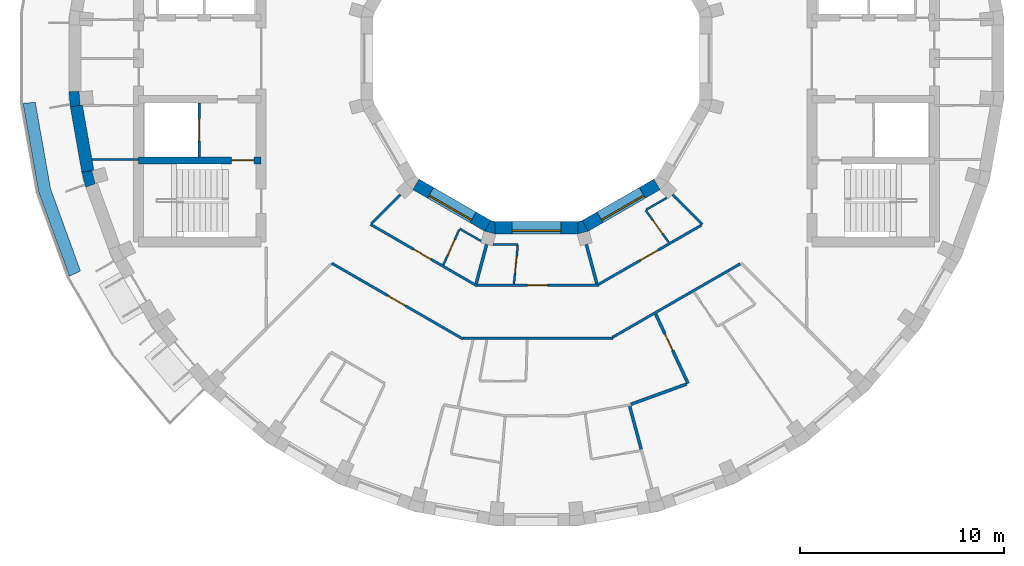
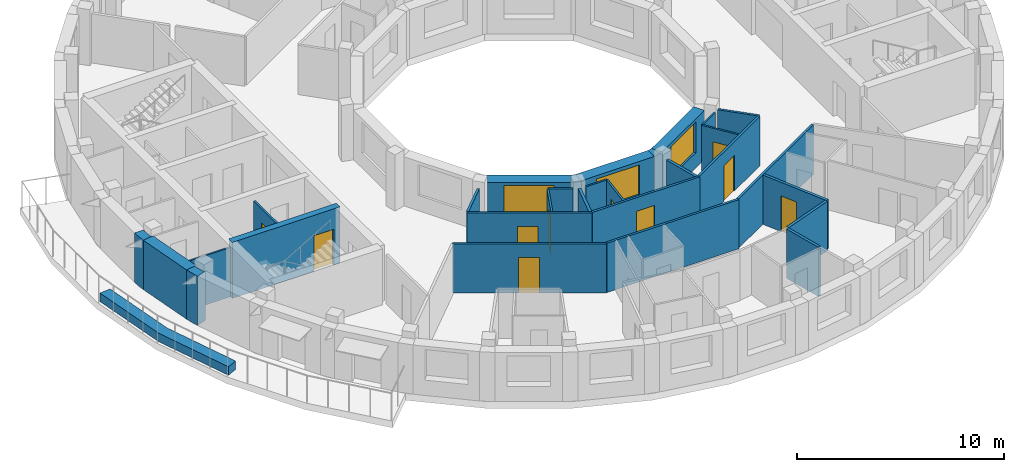
# One storey, part 3 of 10: 31 walls, 10 doors, 3 windows, 13 openings.
"""IFC4 building model written with IfcOpenShell, lengths in metres."""

from ifc_helpers import new_model, si_unit, direction, frame, frame_2d, origin, place, context, subcontext, project, spatial, polyline, rectangle, outline, extrude, material, layer, layer_set, type_object, element, fill, save


model = new_model("IFC4")

# Units and contexts
model_context = context("Model", 3, precision=1e-05, world=origin(), true_north=direction((0.0, 1.0)))
body_context = subcontext(model_context, "Body", "Model", "MODEL_VIEW")
ifc_project = project(units=[si_unit("LENGTHUNIT", "METRE"), si_unit("AREAUNIT", "SQUARE_METRE"), si_unit("VOLUMEUNIT", "CUBIC_METRE"), si_unit("PLANEANGLEUNIT", "RADIAN"), si_unit("MASSUNIT", "GRAM", prefix="KILO")], contexts=[model_context])

# Site, building, storey
site_placement = place(None, origin())
site = spatial("IfcSite", under=ifc_project, at=site_placement, CompositionType="ELEMENT")
building_placement = place(site_placement, origin())
building = spatial("IfcBuilding", under=site, at=building_placement, Name="Saqina Gate Tower", CompositionType="ELEMENT")
storey_placement = place(building_placement, frame((0.0, 0.0, 252.800048828125)))
storey = spatial("IfcBuildingStorey", under=building, at=storey_placement, Name="L72", CompositionType="ELEMENT", Elevation=252.800048828125)

# Walls
ifc_material_1 = material(Name="Brick masonry (buff)", Category="masonry")
wall_type_1 = type_object("IfcWallType", Name="BRICK PIER COPING BUFF", PredefinedType="SOLIDWALL", material=ifc_material_1)
wall_1_placement = place(storey_placement, origin())
element("IfcWall", 1, at=wall_1_placement, inside=storey, type_object=wall_type_1, Name="Pier cap L72 column 19", PredefinedType="SOLIDWALL", context=body_context, shape_type="SweptSolid", body=[
    extrude(outline(polyline([(-22.91259765625, -1.625732421875), (-22.8466796875, -2.377685546875), (-22.255859375, -2.2734375), (-22.361083984375, -2.28271484375), (-22.417724609375, -1.635009765625), (-22.3125, -1.625732421875), (-22.91259765625, -1.625732421875)])), origin(), (0.0, 0.0, 1.0), 2.89990234375),
])
wall_2_placement = place(storey_placement, origin())
element("IfcWall", 2, at=wall_2_placement, inside=storey, type_object=wall_type_1, Name="Pier cap L72 column 20", PredefinedType="SOLIDWALL", context=body_context, shape_type="SweptSolid", body=[
    extrude(outline(polyline([(-22.0869140625, -6.30859375), (-21.52294921875, -6.103515625), (-21.625, -6.130859375), (-21.793212890625, -5.5029296875), (-21.691162109375, -5.4755859375), (-22.281982421875, -5.579833984375), (-22.0869140625, -6.30859375)])), origin(), (0.0, 0.0, 1.0), 2.89990234375),
])
ifc_material_2 = material(Name="Gypsum board on steel studs", Category="steel")
ifc_layer_1 = layer(ifc_material_2, 0.10009765625)
ifc_layer_set_1 = layer_set([ifc_layer_1], Name="CORE PARTITION")
wall_type_2 = type_object("IfcWallType", Name="CORE PARTITION", PredefinedType="PARTITIONING", material=ifc_layer_set_1)
wall_3_placement = place(storey_placement, frame((-19.5, -4.949951171875, 0.0), z_axis=(0.0, 0.0, 1.0), x_axis=(-1.0, 0.0, 0.0)))
element("IfcWall", 3, at=wall_3_placement, inside=storey, type_object=wall_type_2, Name="L72-CP-W04", PredefinedType="PARTITIONING", context=body_context, shape_type="SweptSolid", body=[
    extrude(rectangle(XDim=2.283935546875, YDim=0.10009765625, at=frame_2d((1.14208984375, 0.0))), origin(), (0.0, 0.0, 1.0), 2.89990234375),
])
ifc_material_3 = material(Name="Glazed ceramic tile", Category="ceramic")
ifc_layer_2 = layer(ifc_material_3, 0.60009765625)
ifc_layer_set_2 = layer_set([ifc_layer_2], Name="FW-TILE")
wall_type_3 = type_object("IfcWallType", Name="FW-TILE", PredefinedType="SOLIDWALL", material=ifc_layer_set_2)
wall_4_placement = place(storey_placement, frame((-22.55126953125, -2.325439453125, 0.0), z_axis=(0.0, 0.0, 1.0), x_axis=(0.173656842178, -0.984806225186, 0.0)))
element("IfcWall", 4, at=wall_4_placement, inside=storey, type_object=wall_type_3, Name="Facade wall L72 facet 19", PredefinedType="SOLIDWALL", context=body_context, shape_type="SweptSolid", body=[
    extrude(rectangle(XDim=3.251708984375, YDim=0.60009765625, at=frame_2d((1.6259765625, 0.0))), origin(), (0.0, 0.0, 1.0), 2.89990234375),
])

# Wall, opening, window
ifc_material_4 = material(Name="Glazed ceramic tile", Category="ceramic")
ifc_layer_3 = layer(ifc_material_4, 0.60009765625)
ifc_layer_set_3 = layer_set([ifc_layer_3], Name="IW-TILE")
wall_type_4 = type_object("IfcWallType", Name="IW-TILE", PredefinedType="SOLIDWALL", material=ifc_layer_set_3)
wall_5_placement = place(storey_placement, frame((-5.907470703125, -6.17333984375, 0.0), z_axis=(0.0, 0.0, 1.0), x_axis=(0.866028316509, -0.499994954979, 0.0)))
wall_5 = element("IfcWall", 5, at=wall_5_placement, inside=storey, type_object=wall_type_4, Name="Well wall L72 facet 8", PredefinedType="SOLIDWALL", context=body_context, shape_type="SweptSolid", body=[
    extrude(rectangle(XDim=4.05859375, YDim=0.60009765625, at=frame_2d((2.029296875, 0.0))), origin(), (0.0, 0.0, 1.0), 2.89990234375),
])
opening_1_placement = place(wall_5_placement, frame((0.829345703125, 0.0, 0.89990234375)))
opening_1 = element("IfcOpeningElement", 6, at=opening_1_placement, cuts=wall_5, Name="Opening G21-W32", PredefinedType="OPENING", context=body_context, shape_type="SweptSolid", body=[
    extrude(rectangle(XDim=2.39990234375, YDim=1.800048828125, at=frame_2d((1.199951171875, 0.89990234375))), frame((0.0, 0.31201171875, 0.0), z_axis=(0.0, -1.0, 0.0), x_axis=(1.0, 0.0, 0.0)), (0.0, 0.0, 1.0), 0.6240234375),
])
ifc_material_5 = material(Name="Aluminium glazing", Category="aluminium")
window_type = type_object("IfcWindowType", Name="WN-W", PartitioningType="SINGLE_PANEL", PredefinedType="WINDOW", material=ifc_material_5)
window_1_placement = place(opening_1_placement, origin())
window_1 = element("IfcWindow", 7, at=window_1_placement, inside=storey, type_object=window_type, Name="Well window L72 facet 8", OverallHeight=1.800048828125, OverallWidth=2.39990234375, PartitioningType="SINGLE_PANEL", PredefinedType="WINDOW", context=body_context, shape_type="SweptSolid", body=[
    extrude(rectangle(XDim=2.39990234375, YDim=1.800048828125, at=frame_2d((1.199951171875, 0.89990234375))), frame((0.0, -0.119873046875, 0.0), z_axis=(0.0, -1.0, 0.0), x_axis=(1.0, 0.0, 0.0)), (0.0, 0.0, 1.0), 0.06005859375),
])
fill(opening_1, window_1)

wall_6_placement = place(storey_placement, frame((-2.029296875, -8.300048828125, 0.0), z_axis=(0.0, 0.0, 1.0), x_axis=(1.0, 0.0, 0.0)))
wall_6 = element("IfcWall", 8, at=wall_6_placement, inside=storey, type_object=wall_type_4, Name="Well wall L72 facet 9", PredefinedType="SOLIDWALL", context=body_context, shape_type="SweptSolid", body=[
    extrude(rectangle(XDim=4.05859375, YDim=0.60009765625, at=frame_2d((2.029296875, 0.0))), origin(), (0.0, 0.0, 1.0), 2.89990234375),
])
opening_2_placement = place(wall_6_placement, frame((0.829345703125, 0.0, 0.89990234375)))
opening_2 = element("IfcOpeningElement", 9, at=opening_2_placement, cuts=wall_6, Name="Opening G21-W33", PredefinedType="OPENING", context=body_context, shape_type="SweptSolid", body=[
    extrude(rectangle(XDim=2.39990234375, YDim=1.800048828125, at=frame_2d((1.199951171875, 0.89990234375))), frame((0.0, 0.31201171875, 0.0), z_axis=(0.0, -1.0, 0.0), x_axis=(1.0, 0.0, 0.0)), (0.0, 0.0, 1.0), 0.6240234375),
])
window_2_placement = place(opening_2_placement, origin())
window_2 = element("IfcWindow", 10, at=window_2_placement, inside=storey, type_object=window_type, Name="Well window L72 facet 9", OverallHeight=1.800048828125, OverallWidth=2.39990234375, PartitioningType="SINGLE_PANEL", PredefinedType="WINDOW", context=body_context, shape_type="SweptSolid", body=[
    extrude(rectangle(XDim=2.39990234375, YDim=1.800048828125, at=frame_2d((1.199951171875, 0.89990234375))), frame((0.0, -0.119873046875, 0.0), z_axis=(0.0, -1.0, 0.0), x_axis=(1.0, 0.0, 0.0)), (0.0, 0.0, 1.0), 0.06005859375),
])
fill(opening_2, window_2)

wall_7_placement = place(storey_placement, frame((2.392578125, -8.20263671875, 0.0), z_axis=(0.0, 0.0, 1.0), x_axis=(0.866028316509, 0.499994954979, 0.0)))
wall_7 = element("IfcWall", 11, at=wall_7_placement, inside=storey, type_object=wall_type_4, Name="Well wall L72 facet 10", PredefinedType="SOLIDWALL", context=body_context, shape_type="SweptSolid", body=[
    extrude(rectangle(XDim=4.05859375, YDim=0.60009765625, at=frame_2d((2.029296875, 0.0))), origin(), (0.0, 0.0, 1.0), 2.89990234375),
])
opening_3_placement = place(wall_7_placement, frame((0.829345703125, 0.0, 0.89990234375)))
opening_3 = element("IfcOpeningElement", 12, at=opening_3_placement, cuts=wall_7, Name="Opening G21-W34", PredefinedType="OPENING", context=body_context, shape_type="SweptSolid", body=[
    extrude(rectangle(XDim=2.39990234375, YDim=1.800048828125, at=frame_2d((1.199951171875, 0.89990234375))), frame((0.0, 0.31201171875, 0.0), z_axis=(0.0, -1.0, 0.0), x_axis=(1.0, 0.0, 0.0)), (0.0, 0.0, 1.0), 0.6240234375),
])
window_3_placement = place(opening_3_placement, origin())
window_3 = element("IfcWindow", 13, at=window_3_placement, inside=storey, type_object=window_type, Name="Well window L72 facet 10", OverallHeight=1.800048828125, OverallWidth=2.39990234375, PartitioningType="SINGLE_PANEL", PredefinedType="WINDOW", context=body_context, shape_type="SweptSolid", body=[
    extrude(rectangle(XDim=2.39990234375, YDim=1.800048828125, at=frame_2d((1.199951171875, 0.89990234375))), frame((0.0, -0.119873046875, 0.0), z_axis=(0.0, -1.0, 0.0), x_axis=(1.0, 0.0, 0.0)), (0.0, 0.0, 1.0), 0.06005859375),
])
fill(opening_3, window_3)

# Wall, opening, door
ifc_material_6 = material(Name="Gypsum board on steel studs, 100 mm", Category="steel")
ifc_layer_4 = layer(ifc_material_6, 0.10009765625)
ifc_layer_set_4 = layer_set([ifc_layer_4], Name="PARTITION 100")
wall_type_5 = type_object("IfcWallType", Name="PARTITION 100", PredefinedType="PARTITIONING", material=ifc_layer_set_4)
wall_8_placement = place(storey_placement, frame((5.344970703125, -7.43310546875, 0.0), z_axis=(0.0, 0.0, 1.0), x_axis=(0.583667050837, -0.811993087266, 0.0)))
wall_8 = element("IfcWall", 14, at=wall_8_placement, inside=storey, type_object=wall_type_5, Name="PARTITION PW3-12", PredefinedType="PARTITIONING", context=body_context, shape_type="SweptSolid", body=[
    extrude(rectangle(XDim=1.947021484375, YDim=0.10009765625, at=frame_2d((0.9736328125, 0.0))), origin(), (0.0, 0.0, 1.0), 2.89990234375),
])
opening_4_placement = place(wall_8_placement, frame((0.60498046875, 0.0, 0.0)))
opening_4 = element("IfcOpeningElement", 15, at=opening_4_placement, cuts=wall_8, Name="Opening G21-D42", PredefinedType="OPENING", context=body_context, shape_type="SweptSolid", body=[
    extrude(rectangle(XDim=0.800048828125, YDim=2.10009765625, at=frame_2d((0.39990234375, 1.050048828125))), frame((0.0, 0.06201171875, 0.0), z_axis=(0.0, -1.0, 0.0), x_axis=(1.0, 0.0, 0.0)), (0.0, 0.0, 1.0), 0.1240234375),
])
ifc_material_7 = material(Name="Timber door leaf, 800 mm", Category="wood")
door_type_1 = type_object("IfcDoorType", Name="DOOR 800 TIMBER", OperationType="SINGLE_SWING_LEFT", PredefinedType="DOOR", material=ifc_material_7)
door_1_placement = place(opening_4_placement, origin())
door_1 = element("IfcDoor", 16, at=door_1_placement, inside=storey, type_object=door_type_1, Name="DOOR G21-D42", OperationType="SINGLE_SWING_LEFT", OverallHeight=2.10009765625, OverallWidth=0.800048828125, PredefinedType="DOOR", context=body_context, shape_type="SweptSolid", body=[
    extrude(rectangle(XDim=0.800048828125, YDim=2.10009765625, at=frame_2d((0.39990234375, 1.050048828125))), frame((0.0, 0.02490234375, 0.0), z_axis=(0.0, -1.0, 0.0), x_axis=(1.0, 0.0, 0.0)), (0.0, 0.0, 1.0), 0.050048828125),
])
fill(opening_4, door_1)

# Walls
wall_9_placement = place(storey_placement, frame((-3.764892578125, -8.345947265625, 0.0), z_axis=(0.0, 0.0, 1.0), x_axis=(0.866057664494, -0.499944118649, 0.0)))
element("IfcWall", 17, at=wall_9_placement, inside=storey, type_object=wall_type_5, Name="PARTITION PW3-16", PredefinedType="PARTITIONING", context=body_context, shape_type="SweptSolid", body=[
    extrude(rectangle(XDim=1.207763671875, YDim=0.10009765625, at=frame_2d((0.60400390625, 0.0))), origin(), (0.0, 0.0, 1.0), 2.89990234375),
])
wall_10_placement = place(storey_placement, frame((-2.1201171875, -9.110107421875, 0.0), z_axis=(0.0, 0.0, 1.0), x_axis=(1.0, 0.0, 0.0)))
element("IfcWall", 18, at=wall_10_placement, inside=storey, type_object=wall_type_5, Name="PARTITION PW3-25", PredefinedType="PARTITIONING", context=body_context, shape_type="SweptSolid", body=[
    extrude(rectangle(XDim=1.2080078125, YDim=0.10009765625, at=frame_2d((0.60400390625, 0.0))), origin(), (0.0, 0.0, 1.0), 2.89990234375),
])
wall_11_placement = place(storey_placement, frame((5.388427734375, -7.407958984375, 0.0), z_axis=(0.0, 0.0, 1.0), x_axis=(0.866132916787, 0.499813735764, 0.0)))
element("IfcWall", 19, at=wall_11_placement, inside=storey, type_object=wall_type_5, Name="PARTITION PW3-33", PredefinedType="PARTITIONING", context=body_context, shape_type="SweptSolid", body=[
    extrude(rectangle(XDim=1.15771484375, YDim=0.10009765625, at=frame_2d((0.578857421875, 0.0))), origin(), (0.0, 0.0, 1.0), 2.89990234375),
])

# Wall, opening, door
wall_12_placement = place(storey_placement, frame((-4.566162109375, -10.12060546875, 0.0), z_axis=(0.0, 0.0, 1.0), x_axis=(0.411445339517, 0.911434436803, 0.0)))
wall_12 = element("IfcWall", 20, at=wall_12_placement, inside=storey, type_object=wall_type_5, Name="PARTITION PW3-42", PredefinedType="PARTITIONING", context=body_context, shape_type="SweptSolid", body=[
    extrude(rectangle(XDim=1.89697265625, YDim=0.10009765625, at=frame_2d((0.948486328125, 0.0))), origin(), (0.0, 0.0, 1.0), 2.89990234375),
])
opening_5_placement = place(wall_12_placement, frame((0.5419921875, 0.0, 0.0)))
opening_5 = element("IfcOpeningElement", 21, at=opening_5_placement, cuts=wall_12, Name="Opening G21-D28", PredefinedType="OPENING", context=body_context, shape_type="SweptSolid", body=[
    extrude(rectangle(XDim=0.800048828125, YDim=2.10009765625, at=frame_2d((0.39990234375, 1.050048828125))), frame((0.0, 0.06201171875, 0.0), z_axis=(0.0, -1.0, 0.0), x_axis=(1.0, 0.0, 0.0)), (0.0, 0.0, 1.0), 0.1240234375),
])
door_2_placement = place(opening_5_placement, frame((0.800048828125, 0.0, 0.0), z_axis=(0.0, 0.0, 1.0), x_axis=(-1.0, 0.0, 0.0)))
door_2 = element("IfcDoor", 22, at=door_2_placement, inside=storey, type_object=door_type_1, Name="DOOR G21-D28", OperationType="SINGLE_SWING_LEFT", OverallHeight=2.10009765625, OverallWidth=0.800048828125, PredefinedType="DOOR", context=body_context, shape_type="SweptSolid", body=[
    extrude(rectangle(XDim=0.800048828125, YDim=2.10009765625, at=frame_2d((0.39990234375, 1.050048828125))), frame((0.0, 0.02490234375, 0.0), z_axis=(0.0, -1.0, 0.0), x_axis=(1.0, 0.0, 0.0)), (0.0, 0.0, 1.0), 0.050048828125),
])
fill(opening_5, door_2)

wall_13_placement = place(storey_placement, frame((-1.105712890625, -11.0478515625, 0.0), z_axis=(0.0, 0.0, 1.0), x_axis=(0.09945276516, 0.995042284278, 0.0)))
wall_13 = element("IfcWall", 23, at=wall_13_placement, inside=storey, type_object=wall_type_5, Name="PARTITION PW3-48", PredefinedType="PARTITIONING", context=body_context, shape_type="SweptSolid", body=[
    extrude(rectangle(XDim=1.897705078125, YDim=0.10009765625, at=frame_2d((0.94873046875, 0.0))), origin(), (0.0, 0.0, 1.0), 2.89990234375),
])
opening_6_placement = place(wall_13_placement, frame((0.54248046875, 0.0, 0.0)))
opening_6 = element("IfcOpeningElement", 24, at=opening_6_placement, cuts=wall_13, Name="Opening G21-D33", PredefinedType="OPENING", context=body_context, shape_type="SweptSolid", body=[
    extrude(rectangle(XDim=0.800048828125, YDim=2.10009765625, at=frame_2d((0.39990234375, 1.050048828125))), frame((0.0, 0.06201171875, 0.0), z_axis=(0.0, -1.0, 0.0), x_axis=(1.0, 0.0, 0.0)), (0.0, 0.0, 1.0), 0.1240234375),
])
door_3_placement = place(opening_6_placement, frame((0.800048828125, 0.0, 0.0), z_axis=(0.0, 0.0, 1.0), x_axis=(-1.0, 0.0, 0.0)))
door_3 = element("IfcDoor", 25, at=door_3_placement, inside=storey, type_object=door_type_1, Name="DOOR G21-D33", OperationType="SINGLE_SWING_RIGHT", OverallHeight=2.10009765625, OverallWidth=0.800048828125, PredefinedType="DOOR", context=body_context, shape_type="SweptSolid", body=[
    extrude(rectangle(XDim=0.800048828125, YDim=2.10009765625, at=frame_2d((0.39990234375, 1.050048828125))), frame((0.0, 0.02490234375, 0.0), z_axis=(0.0, -1.0, 0.0), x_axis=(1.0, 0.0, 0.0)), (0.0, 0.0, 1.0), 0.050048828125),
])
fill(opening_6, door_3)

# Wall
ifc_material_8 = material(Name="Gypsum board on steel studs, 125 mm, fire rated", Category="steel")
ifc_layer_5 = layer(ifc_material_8, 0.125)
ifc_layer_set_5 = layer_set([ifc_layer_5], Name="PARTITION EI 30 125")
wall_type_6 = type_object("IfcWallType", Name="PARTITION EI 30 125", PredefinedType="PARTITIONING", material=ifc_layer_set_5)
wall_14_placement = place(storey_placement, frame((6.6767578125, -6.6767578125, 0.0), z_axis=(0.0, 0.0, 1.0), x_axis=(0.707106781187, -0.707106781187, 0.0)))
element("IfcWall", 26, at=wall_14_placement, inside=storey, type_object=wall_type_6, Name="PARTITION PW1-06", PredefinedType="PARTITIONING", context=body_context, shape_type="SweptSolid", body=[
    extrude(rectangle(XDim=2.0595703125, YDim=0.125, at=frame_2d((1.02978515625, 0.0))), origin(), (0.0, 0.0, 1.0), 2.89990234375),
])

# Wall, opening, door
wall_15_placement = place(storey_placement, frame((-10.035888671875, -10.035888671875, 0.0), z_axis=(0.0, 0.0, 1.0), x_axis=(0.865964194244, -0.500106003051, 0.0)))
wall_15 = element("IfcWall", 27, at=wall_15_placement, inside=storey, type_object=wall_type_6, Name="PARTITION PW1-09", PredefinedType="PARTITIONING", context=body_context, shape_type="SweptSolid", body=[
    extrude(rectangle(XDim=7.419921875, YDim=0.125, at=frame_2d((3.7099609375, 0.0))), origin(), (0.0, 0.0, 1.0), 2.89990234375),
])
opening_7_placement = place(wall_15_placement, frame((3.17333984375, 0.0, 0.0)))
opening_7 = element("IfcOpeningElement", 28, at=opening_7_placement, cuts=wall_15, Name="Opening G21-D26", PredefinedType="OPENING", context=body_context, shape_type="SweptSolid", body=[
    extrude(rectangle(XDim=1.0, YDim=2.10009765625, at=frame_2d((0.5, 1.050048828125))), frame((0.0, 0.074462890625, 0.0), z_axis=(0.0, -1.0, 0.0), x_axis=(1.0, 0.0, 0.0)), (0.0, 0.0, 1.0), 0.14892578125),
])
ifc_material_9 = material(Name="Fire door leaf EI 30, 1000 mm")
door_type_2 = type_object("IfcDoorType", Name="DOOR 1000 EI 30", OperationType="SINGLE_SWING_LEFT", PredefinedType="DOOR", material=ifc_material_9)
door_4_placement = place(opening_7_placement, frame((1.0, 0.0, 0.0), z_axis=(0.0, 0.0, 1.0), x_axis=(-1.0, 0.0, 0.0)))
door_4 = element("IfcDoor", 29, at=door_4_placement, inside=storey, type_object=door_type_2, Name="DOOR G21-D26", OperationType="SINGLE_SWING_RIGHT", OverallHeight=2.10009765625, OverallWidth=1.0, PredefinedType="DOOR", context=body_context, shape_type="SweptSolid", body=[
    extrude(rectangle(XDim=1.0, YDim=2.10009765625, at=frame_2d((0.5, 1.050048828125))), frame((0.0, 0.02490234375, 0.0), z_axis=(0.0, -1.0, 0.0), x_axis=(1.0, 0.0, 0.0)), (0.0, 0.0, 1.0), 0.050048828125),
])
fill(opening_7, door_4)

wall_16_placement = place(storey_placement, frame((-8.133056640625, -8.133056640625, 0.0), z_axis=(0.0, 0.0, 1.0), x_axis=(0.866022982797, -0.500004193249, 0.0)))
wall_16 = element("IfcWall", 30, at=wall_16_placement, inside=storey, type_object=wall_type_6, Name="PARTITION PW1-10", PredefinedType="PARTITIONING", context=body_context, shape_type="SweptSolid", body=[
    extrude(rectangle(XDim=6.02587890625, YDim=0.125, at=frame_2d((3.012939453125, 0.0))), origin(), (0.0, 0.0, 1.0), 2.89990234375),
])
opening_8_placement = place(wall_16_placement, frame((2.42626953125, 0.0, 0.0)))
opening_8 = element("IfcOpeningElement", 31, at=opening_8_placement, cuts=wall_16, Name="Opening G21-D25", PredefinedType="OPENING", context=body_context, shape_type="SweptSolid", body=[
    extrude(rectangle(XDim=1.0, YDim=2.10009765625, at=frame_2d((0.5, 1.050048828125))), frame((0.0, 0.074462890625, 0.0), z_axis=(0.0, -1.0, 0.0), x_axis=(1.0, 0.0, 0.0)), (0.0, 0.0, 1.0), 0.14892578125),
])
door_5_placement = place(opening_8_placement, origin())
door_5 = element("IfcDoor", 32, at=door_5_placement, inside=storey, type_object=door_type_2, Name="DOOR G21-D25", OperationType="SINGLE_SWING_RIGHT", OverallHeight=2.10009765625, OverallWidth=1.0, PredefinedType="DOOR", context=body_context, shape_type="SweptSolid", body=[
    extrude(rectangle(XDim=1.0, YDim=2.10009765625, at=frame_2d((0.5, 1.050048828125))), frame((0.0, 0.02490234375, 0.0), z_axis=(0.0, -1.0, 0.0), x_axis=(1.0, 0.0, 0.0)), (0.0, 0.0, 1.0), 0.050048828125),
])
fill(opening_8, door_5)

# Wall
wall_17_placement = place(storey_placement, frame((-3.610595703125, -13.7099609375, 0.0), z_axis=(0.0, 0.0, 1.0), x_axis=(1.0, 0.0, 0.0)))
element("IfcWall", 33, at=wall_17_placement, inside=storey, type_object=wall_type_6, Name="PARTITION PW1-17", PredefinedType="PARTITIONING", context=body_context, shape_type="SweptSolid", body=[
    extrude(rectangle(XDim=7.356689453125, YDim=0.125, at=frame_2d((3.67822265625, 0.0))), origin(), (0.0, 0.0, 1.0), 2.89990234375),
])

# Wall, opening, door
wall_18_placement = place(storey_placement, frame((-2.91455078125, -11.110107421875, 0.0), z_axis=(0.0, 0.0, 1.0), x_axis=(1.0, 0.0, 0.0)))
wall_18 = element("IfcWall", 34, at=wall_18_placement, inside=storey, type_object=wall_type_6, Name="PARTITION PW1-18", PredefinedType="PARTITIONING", context=body_context, shape_type="SweptSolid", body=[
    extrude(rectangle(XDim=5.97802734375, YDim=0.125, at=frame_2d((2.989013671875, 0.0))), origin(), (0.0, 0.0, 1.0), 2.89990234375),
])
opening_9_placement = place(wall_18_placement, frame((2.465087890625, 0.0, 0.0)))
opening_9 = element("IfcOpeningElement", 35, at=opening_9_placement, cuts=wall_18, Name="Opening G21-D35", PredefinedType="OPENING", context=body_context, shape_type="SweptSolid", body=[
    extrude(rectangle(XDim=1.0, YDim=2.10009765625, at=frame_2d((0.5, 1.050048828125))), frame((0.0, 0.074462890625, 0.0), z_axis=(0.0, -1.0, 0.0), x_axis=(1.0, 0.0, 0.0)), (0.0, 0.0, 1.0), 0.14892578125),
])
door_6_placement = place(opening_9_placement, frame((1.0, 0.0, 0.0), z_axis=(0.0, 0.0, 1.0), x_axis=(-1.0, 0.0, 0.0)))
door_6 = element("IfcDoor", 36, at=door_6_placement, inside=storey, type_object=door_type_2, Name="DOOR G21-D35", OperationType="SINGLE_SWING_RIGHT", OverallHeight=2.10009765625, OverallWidth=1.0, PredefinedType="DOOR", context=body_context, shape_type="SweptSolid", body=[
    extrude(rectangle(XDim=1.0, YDim=2.10009765625, at=frame_2d((0.5, 1.050048828125))), frame((0.0, 0.02490234375, 0.0), z_axis=(0.0, -1.0, 0.0), x_axis=(1.0, 0.0, 0.0)), (0.0, 0.0, 1.0), 0.050048828125),
])
fill(opening_9, door_6)

# Wall
wall_19_placement = place(storey_placement, frame((3.723388671875, -13.67041015625, 0.0), z_axis=(0.0, 0.0, 1.0), x_axis=(0.866630430442, 0.498950595783, 0.0)))
element("IfcWall", 37, at=wall_19_placement, inside=storey, type_object=wall_type_6, Name="PARTITION PW1-23", PredefinedType="PARTITIONING", context=body_context, shape_type="SweptSolid", body=[
    extrude(rectangle(XDim=7.2216796875, YDim=0.125, at=frame_2d((3.61083984375, 0.0))), origin(), (0.0, 0.0, 1.0), 2.89990234375),
])

# Wall, opening, door
wall_20_placement = place(storey_placement, frame((3.0419921875, -11.072509765625, 0.0), z_axis=(0.0, 0.0, 1.0), x_axis=(0.866951194634, 0.498393043814, 0.0)))
wall_20 = element("IfcWall", 38, at=wall_20_placement, inside=storey, type_object=wall_type_6, Name="PARTITION PW1-24", PredefinedType="PARTITIONING", context=body_context, shape_type="SweptSolid", body=[
    extrude(rectangle(XDim=5.816162109375, YDim=0.125, at=frame_2d((2.908203125, 0.0))), origin(), (0.0, 0.0, 1.0), 2.89990234375),
])
opening_10_placement = place(wall_20_placement, frame((2.351318359375, 0.0, 0.0)))
opening_10 = element("IfcOpeningElement", 39, at=opening_10_placement, cuts=wall_20, Name="Opening G21-D38", PredefinedType="OPENING", context=body_context, shape_type="SweptSolid", body=[
    extrude(rectangle(XDim=1.0, YDim=2.10009765625, at=frame_2d((0.5, 1.050048828125))), frame((0.0, 0.074462890625, 0.0), z_axis=(0.0, -1.0, 0.0), x_axis=(1.0, 0.0, 0.0)), (0.0, 0.0, 1.0), 0.14892578125),
])
door_7_placement = place(opening_10_placement, origin())
door_7 = element("IfcDoor", 40, at=door_7_placement, inside=storey, type_object=door_type_2, Name="DOOR G21-D38", OperationType="SINGLE_SWING_RIGHT", OverallHeight=2.10009765625, OverallWidth=1.0, PredefinedType="DOOR", context=body_context, shape_type="SweptSolid", body=[
    extrude(rectangle(XDim=1.0, YDim=2.10009765625, at=frame_2d((0.5, 1.050048828125))), frame((0.0, 0.02490234375, 0.0), z_axis=(0.0, -1.0, 0.0), x_axis=(1.0, 0.0, 0.0)), (0.0, 0.0, 1.0), 0.050048828125),
])
fill(opening_10, door_7)

# Walls
wall_21_placement = place(storey_placement, frame((-8.0888671875, -8.0888671875, 0.0), z_axis=(0.0, 0.0, 1.0), x_axis=(0.707106781187, 0.707106781187, 0.0)))
element("IfcWall", 41, at=wall_21_placement, inside=storey, type_object=wall_type_6, Name="PARTITION PW1-28", PredefinedType="PARTITIONING", context=body_context, shape_type="SweptSolid", body=[
    extrude(rectangle(XDim=1.9970703125, YDim=0.125, at=frame_2d((0.99853515625, 0.0))), origin(), (0.0, 0.0, 1.0), 2.89990234375),
])
ifc_material_10 = material(Name="Gypsum board on steel studs, 150 mm, fire rated", Category="steel")
ifc_layer_6 = layer(ifc_material_10, 0.14990234375)
ifc_layer_set_6 = layer_set([ifc_layer_6], Name="PARTITION EI 60 150")
wall_type_7 = type_object("IfcWallType", Name="PARTITION EI 60 150", PredefinedType="PARTITIONING", material=ifc_layer_set_6)
wall_22_placement = place(storey_placement, frame((4.569580078125, -17.052490234375, 0.0), z_axis=(0.0, 0.0, 1.0), x_axis=(0.257984618888, -0.966149023918, 0.0)))
element("IfcWall", 42, at=wall_22_placement, inside=storey, type_object=wall_type_7, Name="PARTITION PW2-02", PredefinedType="PARTITIONING", context=body_context, shape_type="SweptSolid", body=[
    extrude(rectangle(XDim=2.1708984375, YDim=0.14990234375, at=frame_2d((1.08544921875, 0.0))), origin(), (0.0, 0.0, 1.0), 2.89990234375),
])
wall_23_placement = place(storey_placement, frame((2.444091796875, -9.120361328125, 0.0), z_axis=(0.0, 0.0, 1.0), x_axis=(0.258894940689, -0.965905486932, 0.0)))
element("IfcWall", 43, at=wall_23_placement, inside=storey, type_object=wall_type_7, Name="PARTITION PW2-03", PredefinedType="PARTITIONING", context=body_context, shape_type="SweptSolid", body=[
    extrude(rectangle(XDim=1.997314453125, YDim=0.14990234375, at=frame_2d((0.99853515625, 0.0))), origin(), (0.0, 0.0, 1.0), 2.89990234375),
])

# Wall, opening, door
wall_24_placement = place(storey_placement, frame((5.841796875, -12.530029296875, 0.0), z_axis=(0.0, 0.0, 1.0), x_axis=(0.422999465209, -0.906129931319, 0.0)))
wall_24 = element("IfcWall", 44, at=wall_24_placement, inside=storey, type_object=wall_type_7, Name="PARTITION PW2-04", PredefinedType="PARTITIONING", context=body_context, shape_type="SweptSolid", body=[
    extrude(rectangle(XDim=3.75146484375, YDim=0.14990234375, at=frame_2d((1.875732421875, 0.0))), origin(), (0.0, 0.0, 1.0), 2.89990234375),
])
opening_11_placement = place(wall_24_placement, frame((1.067626953125, 0.0, 0.0)))
opening_11 = element("IfcOpeningElement", 45, at=opening_11_placement, cuts=wall_24, Name="Opening G21-D37", PredefinedType="OPENING", context=body_context, shape_type="SweptSolid", body=[
    extrude(rectangle(XDim=0.89990234375, YDim=2.10009765625, at=frame_2d((0.449951171875, 1.050048828125))), frame((0.0, 0.0869140625, 0.0), z_axis=(0.0, -1.0, 0.0), x_axis=(1.0, 0.0, 0.0)), (0.0, 0.0, 1.0), 0.173828125),
])
ifc_material_11 = material(Name="Fire door leaf EI 30, 900 mm")
door_type_3 = type_object("IfcDoorType", Name="DOOR 900 EI 30", OperationType="SINGLE_SWING_LEFT", PredefinedType="DOOR", material=ifc_material_11)
door_8_placement = place(opening_11_placement, origin())
door_8 = element("IfcDoor", 46, at=door_8_placement, inside=storey, type_object=door_type_3, Name="DOOR G21-D37", OperationType="SINGLE_SWING_LEFT", OverallHeight=2.10009765625, OverallWidth=0.89990234375, PredefinedType="DOOR", context=body_context, shape_type="SweptSolid", body=[
    extrude(rectangle(XDim=0.89990234375, YDim=2.10009765625, at=frame_2d((0.449951171875, 1.050048828125))), frame((0.0, 0.02490234375, 0.0), z_axis=(0.0, -1.0, 0.0), x_axis=(1.0, 0.0, 0.0)), (0.0, 0.0, 1.0), 0.050048828125),
])
fill(opening_11, door_8)

# Walls
wall_25_placement = place(storey_placement, frame((4.62060546875, -16.95458984375, 0.0), z_axis=(0.0, 0.0, 1.0), x_axis=(0.939663701092, 0.342099589082, 0.0)))
element("IfcWall", 47, at=wall_25_placement, inside=storey, type_object=wall_type_7, Name="PARTITION PW2-07", PredefinedType="PARTITIONING", context=body_context, shape_type="SweptSolid", body=[
    extrude(rectangle(XDim=2.913818359375, YDim=0.14990234375, at=frame_2d((1.45703125, 0.0))), origin(), (0.0, 0.0, 1.0), 2.89990234375),
])
wall_26_placement = place(storey_placement, frame((-2.960693359375, -11.049560546875, 0.0), z_axis=(0.0, 0.0, 1.0), x_axis=(0.258780892738, 0.965936048377, 0.0)))
element("IfcWall", 48, at=wall_26_placement, inside=storey, type_object=wall_type_7, Name="PARTITION PW2-09", PredefinedType="PARTITIONING", context=body_context, shape_type="SweptSolid", body=[
    extrude(rectangle(XDim=1.997314453125, YDim=0.14990234375, at=frame_2d((0.99853515625, 0.0))), origin(), (0.0, 0.0, 1.0), 2.89990234375),
])
ifc_material_12 = material(Name="Brick masonry (red)", Category="masonry")
ifc_layer_7 = layer(ifc_material_12, 0.60009765625)
ifc_layer_set_7 = layer_set([ifc_layer_7], Name="PL-PLANTER")
wall_type_8 = type_object("IfcWallType", Name="PL-PLANTER", PredefinedType="PARAPET", material=ifc_layer_set_7)
wall_27_placement = place(storey_placement, origin())
element("IfcWall", 49, at=wall_27_placement, inside=storey, type_object=wall_type_8, Name="Planter L72", PredefinedType="PARAPET", context=body_context, shape_type="SweptSolid", body=[
    extrude(outline(polyline([(-25.16259765625, -2.201416015625), (-24.39794921875, -6.537353515625), (-22.89208984375, -10.6748046875), (-22.34619140625, -10.420166015625), (-23.816162109375, -6.381591796875), (-24.5625, -2.14892578125), (-25.16259765625, -2.201416015625)])), origin(), (0.0, 0.0, 1.0), 0.5),
])

# Wall, opening, door
ifc_material_13 = material(Name="Autoclaved aerated concrete block", Category="concrete")
ifc_layer_8 = layer(ifc_material_13, 0.1201171875)
ifc_layer_set_8 = layer_set([ifc_layer_8], Name="SHAFT PARTITION")
wall_type_9 = type_object("IfcWallType", Name="SHAFT PARTITION", PredefinedType="PARTITIONING", material=ifc_layer_set_8)
wall_28_placement = place(storey_placement, frame((-16.530029296875, -4.824951171875, 0.0), z_axis=(0.0, 0.0, 1.0), x_axis=(0.0, 1.0, 0.0)))
wall_28 = element("IfcWall", 50, at=wall_28_placement, inside=storey, type_object=wall_type_9, Name="L72-CP-W09", PredefinedType="PARTITIONING", context=body_context, shape_type="SweptSolid", body=[
    extrude(rectangle(XDim=2.64990234375, YDim=0.1201171875, at=frame_2d((1.324951171875, 0.0))), origin(), (0.0, 0.0, 1.0), 2.89990234375),
])
opening_12_placement = place(wall_28_placement, frame((0.77490234375, 0.0, 0.0)))
opening_12 = element("IfcOpeningElement", 51, at=opening_12_placement, cuts=wall_28, Name="Opening G21-LD6", PredefinedType="OPENING", context=body_context, shape_type="SweptSolid", body=[
    extrude(rectangle(XDim=1.10009765625, YDim=2.10009765625, at=frame_2d((0.550048828125, 1.050048828125))), frame((0.0, 0.072021484375, 0.0), z_axis=(0.0, -1.0, 0.0), x_axis=(1.0, 0.0, 0.0)), (0.0, 0.0, 1.0), 0.14404296875),
])
ifc_material_14 = material(Name="Stainless steel", Category="steel")
door_type_4 = type_object("IfcDoorType", Name="LANDING DOOR", OperationType="DOUBLE_DOOR_SLIDING", PredefinedType="DOOR", material=ifc_material_14)
door_9_placement = place(opening_12_placement, origin())
door_9 = element("IfcDoor", 52, at=door_9_placement, inside=storey, type_object=door_type_4, Name="LANDING DOOR FF2", OperationType="DOUBLE_DOOR_SLIDING", OverallHeight=2.10009765625, OverallWidth=1.10009765625, PredefinedType="DOOR", context=body_context, shape_type="SweptSolid", body=[
    extrude(rectangle(XDim=1.10009765625, YDim=2.10009765625, at=frame_2d((0.550048828125, 1.050048828125))), frame((0.0, 0.02490234375, 0.0), z_axis=(0.0, -1.0, 0.0), x_axis=(1.0, 0.0, 0.0)), (0.0, 0.0, 1.0), 0.050048828125),
])
fill(opening_12, door_9)

ifc_material_15 = material(Name="Concrete C60/75", Category="concrete")
ifc_layer_9 = layer(ifc_material_15, 0.35009765625)
ifc_layer_set_9 = layer_set([ifc_layer_9], Name="Concrete C60/75")
wall_type_10 = type_object("IfcWallType", Name="STR-CORE WALL-D-I", PredefinedType="SHEAR", material=ifc_layer_set_9)
wall_29_placement = place(storey_placement, frame((-13.5, -5.0, 0.0), z_axis=(0.0, 0.0, 1.0), x_axis=(-1.0, 0.0, 0.0)))
wall_29 = element("IfcWall", 53, at=wall_29_placement, inside=storey, type_object=wall_type_10, Name="CORE WALL L72 W-X2", PredefinedType="SHEAR", context=body_context, shape_type="SweptSolid", body=[
    extrude(rectangle(XDim=6.0, YDim=0.35009765625, at=frame_2d((3.0, 0.0))), origin(), (0.0, 0.0, 1.0), 3.300048828125),
])
opening_13_placement = place(wall_29_placement, frame((0.35009765625, 0.0, 0.0)))
opening_13 = element("IfcOpeningElement", 54, at=opening_13_placement, cuts=wall_29, Name="Opening G21-D108", PredefinedType="OPENING", context=body_context, shape_type="SweptSolid", body=[
    extrude(rectangle(XDim=1.10009765625, YDim=2.10009765625, at=frame_2d((0.550048828125, 1.050048828125))), frame((0.0, 0.18701171875, 0.0), z_axis=(0.0, -1.0, 0.0), x_axis=(1.0, 0.0, 0.0)), (0.0, 0.0, 1.0), 0.3740234375),
])
ifc_material_16 = material(Name="Steel", Category="steel")
door_type_5 = type_object("IfcDoorType", Name="FIRE LOBBY DOOR EI 60 WIDE", OperationType="SINGLE_SWING_LEFT", PredefinedType="DOOR", material=ifc_material_16)
door_10_placement = place(opening_13_placement, origin())
door_10 = element("IfcDoor", 55, at=door_10_placement, inside=storey, type_object=door_type_5, Name="L72-CD-W19", OperationType="SINGLE_SWING_LEFT", OverallHeight=2.10009765625, OverallWidth=1.10009765625, PredefinedType="DOOR", context=body_context, shape_type="SweptSolid", body=[
    extrude(rectangle(XDim=1.10009765625, YDim=2.10009765625, at=frame_2d((0.550048828125, 1.050048828125))), frame((0.0, 0.02490234375, 0.0), z_axis=(0.0, -1.0, 0.0), x_axis=(1.0, 0.0, 0.0)), (0.0, 0.0, 1.0), 0.050048828125),
])
fill(opening_13, door_10)

# Walls
ifc_material_17 = material(Name="Glazed ceramic tile", Category="ceramic")
wall_type_11 = type_object("IfcWallType", Name="TILE PIER COPING", PredefinedType="SOLIDWALL", material=ifc_material_17)
wall_30_placement = place(storey_placement, origin())
element("IfcWall", 56, at=wall_30_placement, inside=storey, type_object=wall_type_11, Name="Well pier cap L72 column 9", PredefinedType="SOLIDWALL", context=body_context, shape_type="SweptSolid", body=[
    extrude(outline(polyline([(-2.029296875, -8.60009765625), (-2.029296875, -8.0), (-2.242431640625, -7.94287109375), (-2.54248046875, -8.46240234375), (-2.029296875, -8.60009765625)])), origin(), (0.0, 0.0, 1.0), 2.89990234375),
])
wall_31_placement = place(storey_placement, origin())
element("IfcWall", 57, at=wall_31_placement, inside=storey, type_object=wall_type_11, Name="Well pier cap L72 column 10", PredefinedType="SOLIDWALL", context=body_context, shape_type="SweptSolid", body=[
    extrude(outline(polyline([(2.54248046875, -8.46240234375), (2.242431640625, -7.94287109375), (2.029296875, -8.0), (2.029296875, -8.60009765625), (2.54248046875, -8.46240234375)])), origin(), (0.0, 0.0, 1.0), 2.89990234375),
])

save(model, "model.ifc")
